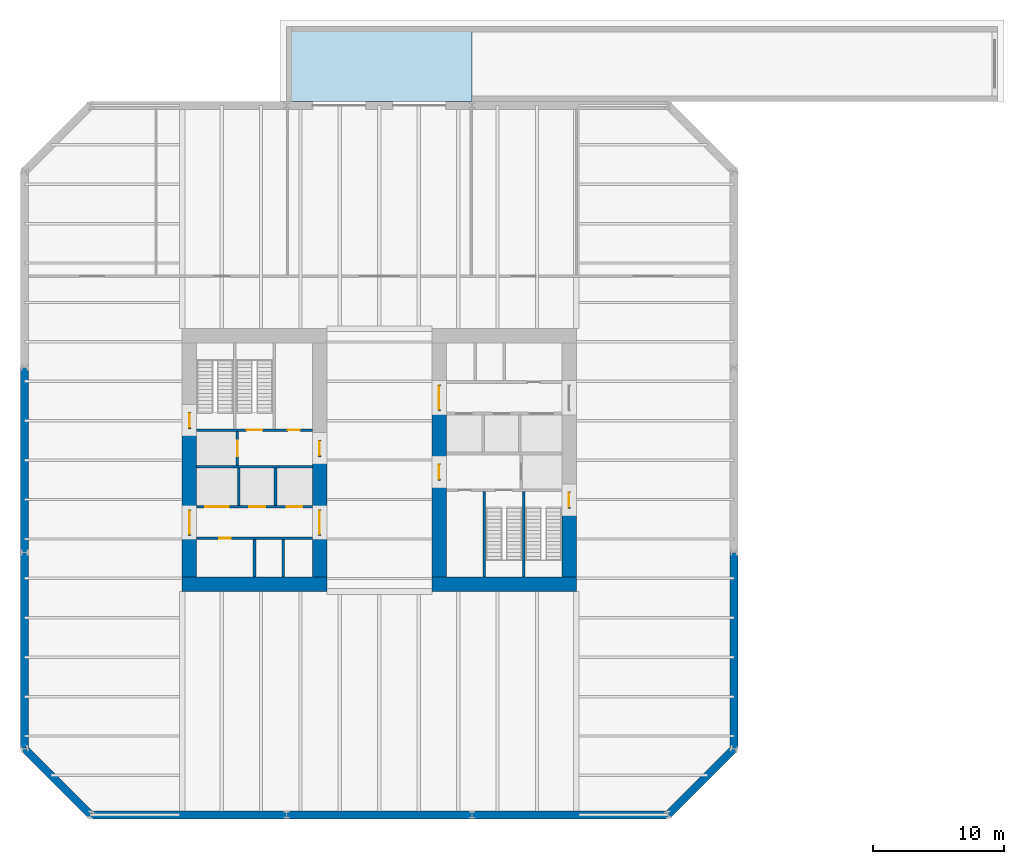
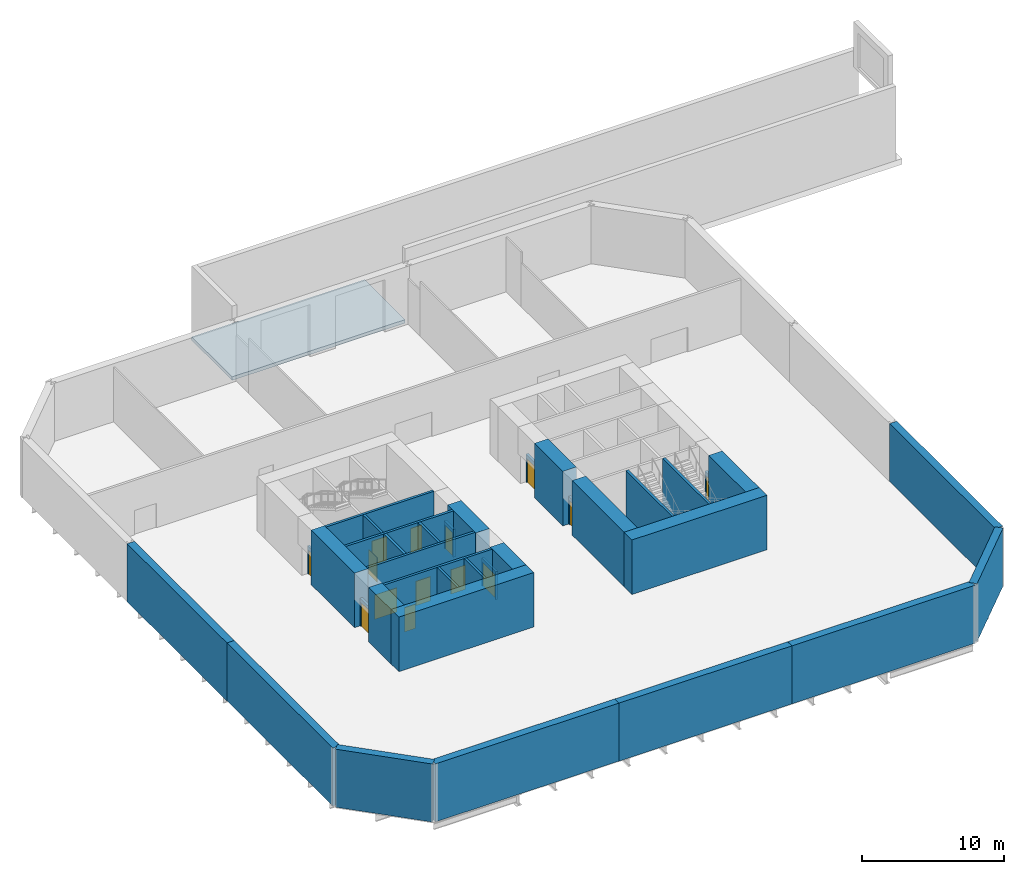
# One storey, part 2 of 6: 35 walls, 14 doors, 1 slab, 14 openings.
"""IFC4 building model written with IfcOpenShell, lengths in metres."""

from ifc_helpers import new_model, si_unit, direction, frame, frame_2d, origin, place, context, subcontext, project, spatial, polyline, rectangle, outline, extrude, material, layer, layer_set, type_object, element, fill, save


model = new_model("IFC4")

# Units and contexts
model_context = context("Model", 3, precision=1e-05, world=origin(), true_north=direction((0.0, 1.0)))
body_context = subcontext(model_context, "Body", "Model", "MODEL_VIEW")
ifc_project = project(units=[si_unit("LENGTHUNIT", "METRE"), si_unit("AREAUNIT", "SQUARE_METRE"), si_unit("VOLUMEUNIT", "CUBIC_METRE"), si_unit("PLANEANGLEUNIT", "RADIAN"), si_unit("MASSUNIT", "GRAM", prefix="KILO")], contexts=[model_context])

# Site, building, storey
site_placement = place(None, origin())
site = spatial("IfcSite", under=ifc_project, at=site_placement, CompositionType="ELEMENT")
building_placement = place(site_placement, origin())
building = spatial("IfcBuilding", under=site, at=building_placement, Name="Millrace Tower", CompositionType="ELEMENT")
storey_placement = place(building_placement, frame((0.0, 0.0, -5.0)))
storey = spatial("IfcBuildingStorey", under=building, at=storey_placement, Name="B1", CompositionType="ELEMENT", Elevation=-5.0)

# Slab
ifc_material_1 = material(Name="Concrete C40", Category="concrete")
ifc_layer_1 = layer(ifc_material_1, 0.300048828125)
ifc_layer_set_1 = layer_set([ifc_layer_1], Name="Concrete C40")
slab_type = type_object("IfcSlabType", Name="Loading court slab 300 mm", PredefinedType="FLOOR", material=ifc_layer_set_1)
slab_placement = place(storey_placement, frame((0.0, 0.0, -0.300048828125)))
element("IfcSlab", 1, at=slab_placement, inside=storey, type_object=slab_type, Name="Loading court slab", PredefinedType="FLOOR", context=body_context, shape_type="SweptSolid", body=[
    extrude(outline(polyline([(-7.050048828125, 27.300048828125), (7.050048828125, 27.300048828125), (7.050048828125, 33.0), (-7.050048828125, 33.0), (-7.050048828125, 27.300048828125)])), origin(), (0.0, 0.0, 1.0), 0.300048828125),
])

# Walls
ifc_material_2 = material(Name="Concrete C40", Category="concrete")
ifc_layer_2 = layer(ifc_material_2, 0.60009765625)
ifc_layer_set_2 = layer_set([ifc_layer_2], Name="Concrete C40")
wall_type_1 = type_object("IfcWallType", Name="Basement retaining wall 600 mm", PredefinedType="SOLIDWALL", material=ifc_layer_set_2)
wall_1_placement = place(storey_placement, frame((-27.0, -21.978515625, 0.0), z_axis=(0.0, 0.0, 1.0), x_axis=(0.707106781187, -0.707106781187, 0.0)))
element("IfcWall", 2, at=wall_1_placement, inside=storey, type_object=wall_type_1, Name="BW-A-B1-01", PredefinedType="SOLIDWALL", context=body_context, shape_type="SweptSolid", body=[
    extrude(rectangle(XDim=7.1015625, YDim=0.60009765625, at=frame_2d((3.55078125, 0.0))), origin(), (0.0, 0.0, 1.0), 5.0),
])
wall_2_placement = place(storey_placement, frame((-21.978515625, -27.0, 0.0), z_axis=(0.0, 0.0, 1.0), x_axis=(1.0, 0.0, 0.0)))
element("IfcWall", 3, at=wall_2_placement, inside=storey, type_object=wall_type_1, Name="BW-A-B1-02", PredefinedType="SOLIDWALL", context=body_context, shape_type="SweptSolid", body=[
    extrude(rectangle(XDim=14.928466796875, YDim=0.60009765625, at=frame_2d((7.46435546875, 0.0))), origin(), (0.0, 0.0, 1.0), 5.0),
])
wall_3_placement = place(storey_placement, frame((-7.050048828125, -27.0, 0.0), z_axis=(0.0, 0.0, 1.0), x_axis=(1.0, 0.0, 0.0)))
element("IfcWall", 4, at=wall_3_placement, inside=storey, type_object=wall_type_1, Name="BW-A-B1-03", PredefinedType="SOLIDWALL", context=body_context, shape_type="SweptSolid", body=[
    extrude(rectangle(XDim=14.10009765625, YDim=0.60009765625, at=frame_2d((7.050048828125, 0.0))), origin(), (0.0, 0.0, 1.0), 5.0),
])
wall_4_placement = place(storey_placement, frame((7.050048828125, -27.0, 0.0), z_axis=(0.0, 0.0, 1.0), x_axis=(1.0, 0.0, 0.0)))
element("IfcWall", 5, at=wall_4_placement, inside=storey, type_object=wall_type_1, Name="BW-A-B1-04", PredefinedType="SOLIDWALL", context=body_context, shape_type="SweptSolid", body=[
    extrude(rectangle(XDim=14.928466796875, YDim=0.60009765625, at=frame_2d((7.46435546875, 0.0))), origin(), (0.0, 0.0, 1.0), 5.0),
])
wall_5_placement = place(storey_placement, frame((21.978515625, -27.0, 0.0), z_axis=(0.0, 0.0, 1.0), x_axis=(0.707106781187, 0.707106781187, 0.0)))
element("IfcWall", 6, at=wall_5_placement, inside=storey, type_object=wall_type_1, Name="BW-A-B1-05", PredefinedType="SOLIDWALL", context=body_context, shape_type="SweptSolid", body=[
    extrude(rectangle(XDim=7.1015625, YDim=0.60009765625, at=frame_2d((3.55078125, 0.0))), origin(), (0.0, 0.0, 1.0), 5.0),
])
wall_6_placement = place(storey_placement, frame((27.0, -21.978515625, 0.0), z_axis=(0.0, 0.0, 1.0), x_axis=(0.0, 1.0, 0.0)))
element("IfcWall", 7, at=wall_6_placement, inside=storey, type_object=wall_type_1, Name="BW-A-B1-06", PredefinedType="SOLIDWALL", context=body_context, shape_type="SweptSolid", body=[
    extrude(rectangle(XDim=14.928466796875, YDim=0.60009765625, at=frame_2d((7.46435546875, 0.0))), origin(), (0.0, 0.0, 1.0), 5.0),
])
wall_7_placement = place(storey_placement, frame((-27.0, 7.050048828125, 0.0), z_axis=(0.0, 0.0, 1.0), x_axis=(0.0, -1.0, 0.0)))
element("IfcWall", 8, at=wall_7_placement, inside=storey, type_object=wall_type_1, Name="BW-A-B1-15", PredefinedType="SOLIDWALL", context=body_context, shape_type="SweptSolid", body=[
    extrude(rectangle(XDim=14.10009765625, YDim=0.60009765625, at=frame_2d((7.050048828125, 0.0))), origin(), (0.0, 0.0, 1.0), 5.0),
])
wall_8_placement = place(storey_placement, frame((-27.0, -7.050048828125, 0.0), z_axis=(0.0, 0.0, 1.0), x_axis=(0.0, -1.0, 0.0)))
element("IfcWall", 9, at=wall_8_placement, inside=storey, type_object=wall_type_1, Name="BW-A-B1-16", PredefinedType="SOLIDWALL", context=body_context, shape_type="SweptSolid", body=[
    extrude(rectangle(XDim=14.928466796875, YDim=0.60009765625, at=frame_2d((7.46435546875, 0.0))), origin(), (0.0, 0.0, 1.0), 5.0),
])
ifc_material_3 = material(Name="Concrete C80", Category="concrete")
ifc_layer_3 = layer(ifc_material_3, 1.10009765625)
ifc_layer_set_3 = layer_set([ifc_layer_3], Name="Concrete C80")
wall_type_2 = type_object("IfcWallType", Name="Core wall 1100 Concrete C80", PredefinedType="SHEAR", material=ifc_layer_set_3)
wall_9_placement = place(storey_placement, frame((-15.0, -9.449951171875, 0.0), z_axis=(0.0, 0.0, 1.0), x_axis=(1.0, 0.0, 0.0)))
element("IfcWall", 10, at=wall_9_placement, inside=storey, type_object=wall_type_2, Name="Core wall W B1", PredefinedType="SHEAR", context=body_context, shape_type="SweptSolid", body=[
    extrude(rectangle(XDim=11.0, YDim=1.10009765625, at=frame_2d((5.5, 0.0))), origin(), (0.0, 0.0, 1.0), 4.699951171875),
])
wall_10_placement = place(storey_placement, frame((-14.449951171875, -8.89990234375, 0.0), z_axis=(0.0, 0.0, 1.0), x_axis=(0.0, 1.0, 0.0)))
element("IfcWall", 11, at=wall_10_placement, inside=storey, type_object=wall_type_2, Name="Core wall W B1", PredefinedType="SHEAR", context=body_context, shape_type="SweptSolid", body=[
    extrude(rectangle(XDim=3.14990234375, YDim=1.10009765625, at=frame_2d((1.574951171875, 0.0))), origin(), (0.0, 0.0, 1.0), 4.699951171875),
])
wall_11_placement = place(storey_placement, frame((-14.449951171875, -3.75, 0.0), z_axis=(0.0, 0.0, 1.0), x_axis=(0.0, 1.0, 0.0)))
element("IfcWall", 12, at=wall_11_placement, inside=storey, type_object=wall_type_2, Name="Core wall W B1", PredefinedType="SHEAR", context=body_context, shape_type="SweptSolid", body=[
    extrude(rectangle(XDim=6.1298828125, YDim=1.10009765625, at=frame_2d((3.06494140625, 0.0))), origin(), (0.0, 0.0, 1.0), 4.699951171875),
])
wall_12_placement = place(storey_placement, frame((-4.550048828125, -8.89990234375, 0.0), z_axis=(0.0, 0.0, 1.0), x_axis=(0.0, 1.0, 0.0)))
element("IfcWall", 13, at=wall_12_placement, inside=storey, type_object=wall_type_2, Name="Core wall W B1", PredefinedType="SHEAR", context=body_context, shape_type="SweptSolid", body=[
    extrude(rectangle(XDim=3.14990234375, YDim=1.10009765625, at=frame_2d((1.574951171875, 0.0))), origin(), (0.0, 0.0, 1.0), 4.699951171875),
])
wall_13_placement = place(storey_placement, frame((-4.550048828125, -3.75, 0.0), z_axis=(0.0, 0.0, 1.0), x_axis=(0.0, 1.0, 0.0)))
element("IfcWall", 14, at=wall_13_placement, inside=storey, type_object=wall_type_2, Name="Core wall W B1", PredefinedType="SHEAR", context=body_context, shape_type="SweptSolid", body=[
    extrude(rectangle(XDim=4.0, YDim=1.10009765625, at=frame_2d((2.0, 0.0))), origin(), (0.0, 0.0, 1.0), 4.699951171875),
])
wall_14_placement = place(storey_placement, frame((15.0, -9.449951171875, 0.0), z_axis=(0.0, 0.0, 1.0), x_axis=(-1.0, 0.0, 0.0)))
element("IfcWall", 15, at=wall_14_placement, inside=storey, type_object=wall_type_2, Name="Core wall E B1", PredefinedType="SHEAR", context=body_context, shape_type="SweptSolid", body=[
    extrude(rectangle(XDim=11.0, YDim=1.10009765625, at=frame_2d((5.5, 0.0))), origin(), (0.0, 0.0, 1.0), 4.699951171875),
])
wall_15_placement = place(storey_placement, frame((14.449951171875, -3.679931640625, 0.0), z_axis=(0.0, 0.0, 1.0), x_axis=(0.0, -1.0, 0.0)))
element("IfcWall", 16, at=wall_15_placement, inside=storey, type_object=wall_type_2, Name="Core wall E B1", PredefinedType="SHEAR", context=body_context, shape_type="SweptSolid", body=[
    extrude(rectangle(XDim=5.219970703125, YDim=1.10009765625, at=frame_2d((2.60986328125, 0.0))), origin(), (0.0, 0.0, 1.0), 4.699951171875),
])
wall_16_placement = place(storey_placement, frame((4.550048828125, 3.75, 0.0), z_axis=(0.0, 0.0, 1.0), x_axis=(0.0, -1.0, 0.0)))
element("IfcWall", 17, at=wall_16_placement, inside=storey, type_object=wall_type_2, Name="Core wall E B1", PredefinedType="SHEAR", context=body_context, shape_type="SweptSolid", body=[
    extrude(rectangle(XDim=4.0, YDim=1.10009765625, at=frame_2d((2.0, 0.0))), origin(), (0.0, 0.0, 1.0), 4.699951171875),
])
wall_17_placement = place(storey_placement, frame((4.550048828125, -1.550048828125, 0.0), z_axis=(0.0, 0.0, 1.0), x_axis=(0.0, -1.0, 0.0)))
element("IfcWall", 18, at=wall_17_placement, inside=storey, type_object=wall_type_2, Name="Core wall E B1", PredefinedType="SHEAR", context=body_context, shape_type="SweptSolid", body=[
    extrude(rectangle(XDim=7.349853515625, YDim=1.10009765625, at=frame_2d((3.6748046875, 0.0))), origin(), (0.0, 0.0, 1.0), 4.699951171875),
])

# Wall, opening, door
ifc_material_4 = material(Name="Masonry partition, fire-rated", Category="masonry")
ifc_layer_4 = layer(ifc_material_4, 0.199951171875)
ifc_layer_set_4 = layer_set([ifc_layer_4], Name="Masonry partition, fire-rated")
wall_type_3 = type_object("IfcWallType", Name="Lift shaft wall 200", PredefinedType="PARTITIONING", material=ifc_layer_set_4)
wall_18_placement = place(storey_placement, frame((-13.89990234375, -5.949951171875, 0.0), z_axis=(0.0, 0.0, 1.0), x_axis=(1.0, 0.0, 0.0)))
wall_18 = element("IfcWall", 19, at=wall_18_placement, inside=storey, type_object=wall_type_3, Name="Lift shaft wall W B1", PredefinedType="PARTITIONING", context=body_context, shape_type="SweptSolid", body=[
    extrude(rectangle(XDim=8.7998046875, YDim=0.199951171875, at=frame_2d((4.39990234375, 0.0))), origin(), (0.0, 0.0, 1.0), 4.699951171875),
])
opening_1_placement = place(wall_18_placement, frame((1.699951171875, 0.0, 0.0)))
opening_1 = element("IfcOpeningElement", 20, at=opening_1_placement, cuts=wall_18, Name="Opening B1-C005", PredefinedType="OPENING", context=body_context, shape_type="SweptSolid", body=[
    extrude(rectangle(XDim=0.89990234375, YDim=2.10009765625, at=frame_2d((0.449951171875, 1.050048828125))), frame((0.0, 0.10986328125, 0.0), z_axis=(0.0, -1.0, 0.0), x_axis=(1.0, 0.0, 0.0)), (0.0, 0.0, 1.0), 0.219970703125),
])
ifc_material_5 = material(Name="Steel door, fire-rated", Category="steel")
door_type_1 = type_object("IfcDoorType", Name="Service room door 900 x 2100", OperationType="SINGLE_SWING_LEFT", PredefinedType="DOOR", material=ifc_material_5)
door_1_placement = place(opening_1_placement, frame((0.89990234375, 0.0, 0.0), z_axis=(0.0, 0.0, 1.0), x_axis=(-1.0, 0.0, 0.0)))
door_1 = element("IfcDoor", 21, at=door_1_placement, inside=storey, type_object=door_type_1, Name="Service room door B1-C005", OperationType="SINGLE_SWING_RIGHT", OverallHeight=2.10009765625, OverallWidth=0.89990234375, PredefinedType="DOOR", context=body_context, shape_type="SweptSolid", body=[
    extrude(rectangle(XDim=0.89990234375, YDim=2.10009765625, at=frame_2d((0.449951171875, 1.050048828125))), frame((0.0, 0.02490234375, 0.0), z_axis=(0.0, -1.0, 0.0), x_axis=(1.0, 0.0, 0.0)), (0.0, 0.0, 1.0), 0.050048828125),
])
fill(opening_1, door_1)

# Wall, openings, doors
wall_19_placement = place(storey_placement, frame((-13.89990234375, -3.550048828125, 0.0), z_axis=(0.0, 0.0, 1.0), x_axis=(1.0, 0.0, 0.0)))
wall_19 = element("IfcWall", 22, at=wall_19_placement, inside=storey, type_object=wall_type_3, Name="Lift shaft wall W B1", PredefinedType="PARTITIONING", context=body_context, shape_type="SweptSolid", body=[
    extrude(rectangle(XDim=8.7998046875, YDim=0.199951171875, at=frame_2d((4.39990234375, 0.0))), origin(), (0.0, 0.0, 1.0), 4.699951171875),
])
opening_2_placement = place(wall_19_placement, frame((0.64990234375, 0.0, 0.0)))
opening_2 = element("IfcOpeningElement", 23, at=opening_2_placement, cuts=wall_19, Name="Opening B1-LD05", PredefinedType="OPENING", context=body_context, shape_type="SweptSolid", body=[
    extrude(rectangle(XDim=1.800048828125, YDim=2.10009765625, at=frame_2d((0.89990234375, 1.050048828125))), frame((0.0, 0.10986328125, 0.0), z_axis=(0.0, -1.0, 0.0), x_axis=(1.0, 0.0, 0.0)), (0.0, 0.0, 1.0), 0.219970703125),
])
opening_3_placement = place(wall_19_placement, frame((4.0, 0.0, 0.0)))
opening_3 = element("IfcOpeningElement", 24, at=opening_3_placement, cuts=wall_19, Name="Opening B1-LD06", PredefinedType="OPENING", context=body_context, shape_type="SweptSolid", body=[
    extrude(rectangle(XDim=1.199951171875, YDim=2.10009765625, at=frame_2d((0.60009765625, 1.050048828125))), frame((0.0, 0.10986328125, 0.0), z_axis=(0.0, -1.0, 0.0), x_axis=(1.0, 0.0, 0.0)), (0.0, 0.0, 1.0), 0.219970703125),
])
opening_4_placement = place(wall_19_placement, frame((6.85009765625, 0.0, 0.0)))
opening_4 = element("IfcOpeningElement", 25, at=opening_4_placement, cuts=wall_19, Name="Opening B1-LD07", PredefinedType="OPENING", context=body_context, shape_type="SweptSolid", body=[
    extrude(rectangle(XDim=1.199951171875, YDim=2.10009765625, at=frame_2d((0.60009765625, 1.050048828125))), frame((0.0, 0.10986328125, 0.0), z_axis=(0.0, -1.0, 0.0), x_axis=(1.0, 0.0, 0.0)), (0.0, 0.0, 1.0), 0.219970703125),
])
ifc_material_6 = material(Name="Stainless steel, fire-rated", Category="steel")
door_type_2 = type_object("IfcDoorType", Name="Lift landing door 1200 x 2100", OperationType="DOUBLE_DOOR_SLIDING", PredefinedType="DOOR", material=ifc_material_6)
door_2_placement = place(opening_3_placement, origin())
door_2 = element("IfcDoor", 26, at=door_2_placement, inside=storey, type_object=door_type_2, Name="Lift landing door LF6 B1", OperationType="DOUBLE_DOOR_SLIDING", OverallHeight=2.10009765625, OverallWidth=1.199951171875, PredefinedType="DOOR", context=body_context, shape_type="SweptSolid", body=[
    extrude(rectangle(XDim=1.199951171875, YDim=2.10009765625, at=frame_2d((0.60009765625, 1.050048828125))), frame((0.0, 0.02490234375, 0.0), z_axis=(0.0, -1.0, 0.0), x_axis=(1.0, 0.0, 0.0)), (0.0, 0.0, 1.0), 0.050048828125),
])
fill(opening_3, door_2)
door_3_placement = place(opening_4_placement, origin())
door_3 = element("IfcDoor", 27, at=door_3_placement, inside=storey, type_object=door_type_2, Name="Lift landing door LF7 B1", OperationType="DOUBLE_DOOR_SLIDING", OverallHeight=2.10009765625, OverallWidth=1.199951171875, PredefinedType="DOOR", context=body_context, shape_type="SweptSolid", body=[
    extrude(rectangle(XDim=1.199951171875, YDim=2.10009765625, at=frame_2d((0.60009765625, 1.050048828125))), frame((0.0, 0.02490234375, 0.0), z_axis=(0.0, -1.0, 0.0), x_axis=(1.0, 0.0, 0.0)), (0.0, 0.0, 1.0), 0.050048828125),
])
fill(opening_4, door_3)
ifc_material_7 = material(Name="Stainless steel, fire-rated", Category="steel")
door_type_3 = type_object("IfcDoorType", Name="Lift landing door 1800 x 2100", OperationType="DOUBLE_DOOR_SLIDING", PredefinedType="DOOR", material=ifc_material_7)
door_4_placement = place(opening_2_placement, origin())
door_4 = element("IfcDoor", 28, at=door_4_placement, inside=storey, type_object=door_type_3, Name="Lift landing door LF5 B1", OperationType="DOUBLE_DOOR_SLIDING", OverallHeight=2.10009765625, OverallWidth=1.800048828125, PredefinedType="DOOR", context=body_context, shape_type="SweptSolid", body=[
    extrude(rectangle(XDim=1.800048828125, YDim=2.10009765625, at=frame_2d((0.89990234375, 1.050048828125))), frame((0.0, 0.02490234375, 0.0), z_axis=(0.0, -1.0, 0.0), x_axis=(1.0, 0.0, 0.0)), (0.0, 0.0, 1.0), 0.050048828125),
])
fill(opening_2, door_4)

# Wall
wall_20_placement = place(storey_placement, frame((-13.89990234375, -0.5, 0.0), z_axis=(0.0, 0.0, 1.0), x_axis=(1.0, 0.0, 0.0)))
element("IfcWall", 29, at=wall_20_placement, inside=storey, type_object=wall_type_3, Name="Lift shaft wall W B1", PredefinedType="PARTITIONING", context=body_context, shape_type="SweptSolid", body=[
    extrude(rectangle(XDim=8.7998046875, YDim=0.199951171875, at=frame_2d((4.39990234375, 0.0))), origin(), (0.0, 0.0, 1.0), 4.699951171875),
])

# Wall, opening, door
wall_21_placement = place(storey_placement, frame((-10.800048828125, -0.39990234375, 0.0), z_axis=(0.0, 0.0, 1.0), x_axis=(0.0, 1.0, 0.0)))
wall_21 = element("IfcWall", 30, at=wall_21_placement, inside=storey, type_object=wall_type_3, Name="Lift shaft wall W B1", PredefinedType="PARTITIONING", context=body_context, shape_type="SweptSolid", body=[
    extrude(rectangle(XDim=2.579833984375, YDim=0.199951171875, at=frame_2d((1.2900390625, 0.0))), origin(), (0.0, 0.0, 1.0), 4.699951171875),
])
opening_5_placement = place(wall_21_placement, frame((0.68994140625, 0.0, 0.0)))
opening_5 = element("IfcOpeningElement", 31, at=opening_5_placement, cuts=wall_21, Name="Opening B1-LD08", PredefinedType="OPENING", context=body_context, shape_type="SweptSolid", body=[
    extrude(rectangle(XDim=1.199951171875, YDim=2.10009765625, at=frame_2d((0.60009765625, 1.050048828125))), frame((0.0, 0.10986328125, 0.0), z_axis=(0.0, -1.0, 0.0), x_axis=(1.0, 0.0, 0.0)), (0.0, 0.0, 1.0), 0.219970703125),
])
door_5_placement = place(opening_5_placement, origin())
door_5 = element("IfcDoor", 32, at=door_5_placement, inside=storey, type_object=door_type_2, Name="Lift landing door LF8 B1", OperationType="DOUBLE_DOOR_SLIDING", OverallHeight=2.10009765625, OverallWidth=1.199951171875, PredefinedType="DOOR", context=body_context, shape_type="SweptSolid", body=[
    extrude(rectangle(XDim=1.199951171875, YDim=2.10009765625, at=frame_2d((0.60009765625, 1.050048828125))), frame((0.0, 0.02490234375, 0.0), z_axis=(0.0, -1.0, 0.0), x_axis=(1.0, 0.0, 0.0)), (0.0, 0.0, 1.0), 0.050048828125),
])
fill(opening_5, door_5)

# Walls
for number, where, z_axis, x_axis, name in (
    (33, (-9.5, -8.89990234375, 0.0), (0.0, 0.0, 1.0), (0.0, 1.0, 0.0), "Lift shaft wall W B1"),
    (34, (-7.300048828125, -8.89990234375, 0.0), (0.0, 0.0, 1.0), (0.0, 1.0, 0.0), "Lift shaft wall W B1"),
    (35, (-10.699951171875, -3.449951171875, 0.0), (0.0, 0.0, 1.0), (0.0, 1.0, 0.0), "Lift shaft wall W B1"),
    (36, (-7.89990234375, -3.449951171875, 0.0), (0.0, 0.0, 1.0), (0.0, 1.0, 0.0), "Lift shaft wall W B1"),
):
    element("IfcWall", number, at=place(storey_placement, frame(where, z_axis=z_axis, x_axis=x_axis)), inside=storey, type_object=wall_type_3, Name=name, PredefinedType="PARTITIONING", context=body_context, shape_type="SweptSolid", body=[
        extrude(rectangle(XDim=2.849853515625, YDim=0.199951171875, at=frame_2d((1.4248046875, 0.0))), origin(), (0.0, 0.0, 1.0), 4.699951171875),
    ])

# Wall, opening, door
ifc_material_8 = material(Name="Masonry partition, fire-rated", Category="masonry")
ifc_layer_5 = layer(ifc_material_8, 0.199951171875)
ifc_layer_set_5 = layer_set([ifc_layer_5], Name="Masonry partition, fire-rated")
wall_type_4 = type_object("IfcWallType", Name="Lobby wall 200", PredefinedType="PARTITIONING", material=ifc_layer_set_5)
wall_22_placement = place(storey_placement, frame((-14.449951171875, -5.75, 0.0), z_axis=(0.0, 0.0, 1.0), x_axis=(0.0, 1.0, 0.0)))
wall_22 = element("IfcWall", 37, at=wall_22_placement, inside=storey, type_object=wall_type_4, Name="Lobby wall W B1", PredefinedType="PARTITIONING", context=body_context, shape_type="SweptSolid", body=[
    extrude(rectangle(XDim=2.0, YDim=0.199951171875, at=frame_2d((1.0, 0.0))), origin(), (0.0, 0.0, 1.0), 2.39990234375),
])
opening_6_placement = place(wall_22_placement, frame((0.10009765625, 0.0, 0.0)))
opening_6 = element("IfcOpeningElement", 38, at=opening_6_placement, cuts=wall_22, Name="Opening B1-C001", PredefinedType="OPENING", context=body_context, shape_type="SweptSolid", body=[
    extrude(rectangle(XDim=1.800048828125, YDim=2.10009765625, at=frame_2d((0.89990234375, 1.050048828125))), frame((0.0, 0.10986328125, 0.0), z_axis=(0.0, -1.0, 0.0), x_axis=(1.0, 0.0, 0.0)), (0.0, 0.0, 1.0), 0.219970703125),
])
ifc_material_9 = material(Name="Steel door, fire-rated", Category="steel")
door_type_4 = type_object("IfcDoorType", Name="Lobby door 1800 x 2100", OperationType="DOUBLE_DOOR_SINGLE_SWING", PredefinedType="DOOR", material=ifc_material_9)
door_6_placement = place(opening_6_placement, origin())
door_6 = element("IfcDoor", 39, at=door_6_placement, inside=storey, type_object=door_type_4, Name="Lobby door B1-C001", OperationType="DOUBLE_DOOR_SINGLE_SWING", OverallHeight=2.10009765625, OverallWidth=1.800048828125, PredefinedType="DOOR", context=body_context, shape_type="SweptSolid", body=[
    extrude(rectangle(XDim=1.800048828125, YDim=2.10009765625, at=frame_2d((0.89990234375, 1.050048828125))), frame((0.0, 0.02490234375, 0.0), z_axis=(0.0, -1.0, 0.0), x_axis=(1.0, 0.0, 0.0)), (0.0, 0.0, 1.0), 0.050048828125),
])
fill(opening_6, door_6)

wall_23_placement = place(storey_placement, frame((-4.550048828125, -5.75, 0.0), z_axis=(0.0, 0.0, 1.0), x_axis=(0.0, 1.0, 0.0)))
wall_23 = element("IfcWall", 40, at=wall_23_placement, inside=storey, type_object=wall_type_4, Name="Lobby wall W B1", PredefinedType="PARTITIONING", context=body_context, shape_type="SweptSolid", body=[
    extrude(rectangle(XDim=2.0, YDim=0.199951171875, at=frame_2d((1.0, 0.0))), origin(), (0.0, 0.0, 1.0), 2.39990234375),
])
opening_7_placement = place(wall_23_placement, frame((0.10009765625, 0.0, 0.0)))
opening_7 = element("IfcOpeningElement", 41, at=opening_7_placement, cuts=wall_23, Name="Opening B1-C003", PredefinedType="OPENING", context=body_context, shape_type="SweptSolid", body=[
    extrude(rectangle(XDim=1.800048828125, YDim=2.10009765625, at=frame_2d((0.89990234375, 1.050048828125))), frame((0.0, 0.10986328125, 0.0), z_axis=(0.0, -1.0, 0.0), x_axis=(1.0, 0.0, 0.0)), (0.0, 0.0, 1.0), 0.219970703125),
])
door_7_placement = place(opening_7_placement, origin())
door_7 = element("IfcDoor", 42, at=door_7_placement, inside=storey, type_object=door_type_4, Name="Lobby door B1-C003", OperationType="DOUBLE_DOOR_SINGLE_SWING", OverallHeight=2.10009765625, OverallWidth=1.800048828125, PredefinedType="DOOR", context=body_context, shape_type="SweptSolid", body=[
    extrude(rectangle(XDim=1.800048828125, YDim=2.10009765625, at=frame_2d((0.89990234375, 1.050048828125))), frame((0.0, 0.02490234375, 0.0), z_axis=(0.0, -1.0, 0.0), x_axis=(1.0, 0.0, 0.0)), (0.0, 0.0, 1.0), 0.050048828125),
])
fill(opening_7, door_7)

wall_24_placement = place(storey_placement, frame((-4.550048828125, 0.25, 0.0), z_axis=(0.0, 0.0, 1.0), x_axis=(0.0, 1.0, 0.0)))
wall_24 = element("IfcWall", 43, at=wall_24_placement, inside=storey, type_object=wall_type_4, Name="Lobby wall W B1", PredefinedType="PARTITIONING", context=body_context, shape_type="SweptSolid", body=[
    extrude(rectangle(XDim=1.300048828125, YDim=0.199951171875, at=frame_2d((0.64990234375, 0.0))), origin(), (0.0, 0.0, 1.0), 2.39990234375),
])
opening_8_placement = place(wall_24_placement, frame((0.10009765625, 0.0, 0.0)))
opening_8 = element("IfcOpeningElement", 44, at=opening_8_placement, cuts=wall_24, Name="Opening B1-C004", PredefinedType="OPENING", context=body_context, shape_type="SweptSolid", body=[
    extrude(rectangle(XDim=1.10009765625, YDim=2.10009765625, at=frame_2d((0.550048828125, 1.050048828125))), frame((0.0, 0.10986328125, 0.0), z_axis=(0.0, -1.0, 0.0), x_axis=(1.0, 0.0, 0.0)), (0.0, 0.0, 1.0), 0.219970703125),
])
ifc_material_10 = material(Name="Steel door, fire-rated", Category="steel")
door_type_5 = type_object("IfcDoorType", Name="Lobby door 1100 x 2100", OperationType="SINGLE_SWING_LEFT", PredefinedType="DOOR", material=ifc_material_10)
door_8_placement = place(opening_8_placement, origin())
door_8 = element("IfcDoor", 45, at=door_8_placement, inside=storey, type_object=door_type_5, Name="Lobby door B1-C004", OperationType="SINGLE_SWING_RIGHT", OverallHeight=2.10009765625, OverallWidth=1.10009765625, PredefinedType="DOOR", context=body_context, shape_type="SweptSolid", body=[
    extrude(rectangle(XDim=1.10009765625, YDim=2.10009765625, at=frame_2d((0.550048828125, 1.050048828125))), frame((0.0, 0.02490234375, 0.0), z_axis=(0.0, -1.0, 0.0), x_axis=(1.0, 0.0, 0.0)), (0.0, 0.0, 1.0), 0.050048828125),
])
fill(opening_8, door_8)

wall_25_placement = place(storey_placement, frame((4.550048828125, 5.75, 0.0), z_axis=(0.0, 0.0, 1.0), x_axis=(0.0, -1.0, 0.0)))
wall_25 = element("IfcWall", 46, at=wall_25_placement, inside=storey, type_object=wall_type_4, Name="Lobby wall E B1", PredefinedType="PARTITIONING", context=body_context, shape_type="SweptSolid", body=[
    extrude(rectangle(XDim=2.0, YDim=0.199951171875, at=frame_2d((1.0, 0.0))), origin(), (0.0, 0.0, 1.0), 2.39990234375),
])
opening_9_placement = place(wall_25_placement, frame((0.10009765625, 0.0, 0.0)))
opening_9 = element("IfcOpeningElement", 47, at=opening_9_placement, cuts=wall_25, Name="Opening B1-C010", PredefinedType="OPENING", context=body_context, shape_type="SweptSolid", body=[
    extrude(rectangle(XDim=1.800048828125, YDim=2.10009765625, at=frame_2d((0.89990234375, 1.050048828125))), frame((0.0, 0.10986328125, 0.0), z_axis=(0.0, -1.0, 0.0), x_axis=(1.0, 0.0, 0.0)), (0.0, 0.0, 1.0), 0.219970703125),
])
door_9_placement = place(opening_9_placement, origin())
door_9 = element("IfcDoor", 48, at=door_9_placement, inside=storey, type_object=door_type_4, Name="Lobby door B1-C010", OperationType="DOUBLE_DOOR_SINGLE_SWING", OverallHeight=2.10009765625, OverallWidth=1.800048828125, PredefinedType="DOOR", context=body_context, shape_type="SweptSolid", body=[
    extrude(rectangle(XDim=1.800048828125, YDim=2.10009765625, at=frame_2d((0.89990234375, 1.050048828125))), frame((0.0, 0.02490234375, 0.0), z_axis=(0.0, -1.0, 0.0), x_axis=(1.0, 0.0, 0.0)), (0.0, 0.0, 1.0), 0.050048828125),
])
fill(opening_9, door_9)

wall_26_placement = place(storey_placement, frame((4.550048828125, -0.25, 0.0), z_axis=(0.0, 0.0, 1.0), x_axis=(0.0, -1.0, 0.0)))
wall_26 = element("IfcWall", 49, at=wall_26_placement, inside=storey, type_object=wall_type_4, Name="Lobby wall E B1", PredefinedType="PARTITIONING", context=body_context, shape_type="SweptSolid", body=[
    extrude(rectangle(XDim=1.300048828125, YDim=0.199951171875, at=frame_2d((0.64990234375, 0.0))), origin(), (0.0, 0.0, 1.0), 2.39990234375),
])
opening_10_placement = place(wall_26_placement, frame((0.10009765625, 0.0, 0.0)))
opening_10 = element("IfcOpeningElement", 50, at=opening_10_placement, cuts=wall_26, Name="Opening B1-C011", PredefinedType="OPENING", context=body_context, shape_type="SweptSolid", body=[
    extrude(rectangle(XDim=1.10009765625, YDim=2.10009765625, at=frame_2d((0.550048828125, 1.050048828125))), frame((0.0, 0.10986328125, 0.0), z_axis=(0.0, -1.0, 0.0), x_axis=(1.0, 0.0, 0.0)), (0.0, 0.0, 1.0), 0.219970703125),
])
door_10_placement = place(opening_10_placement, origin())
door_10 = element("IfcDoor", 51, at=door_10_placement, inside=storey, type_object=door_type_5, Name="Lobby door B1-C011", OperationType="SINGLE_SWING_LEFT", OverallHeight=2.10009765625, OverallWidth=1.10009765625, PredefinedType="DOOR", context=body_context, shape_type="SweptSolid", body=[
    extrude(rectangle(XDim=1.10009765625, YDim=2.10009765625, at=frame_2d((0.550048828125, 1.050048828125))), frame((0.0, 0.02490234375, 0.0), z_axis=(0.0, -1.0, 0.0), x_axis=(1.0, 0.0, 0.0)), (0.0, 0.0, 1.0), 0.050048828125),
])
fill(opening_10, door_10)

ifc_material_11 = material(Name="Concrete C40", Category="concrete")
ifc_layer_6 = layer(ifc_material_11, 0.199951171875)
ifc_layer_set_6 = layer_set([ifc_layer_6], Name="Concrete C40")
wall_type_5 = type_object("IfcWallType", Name="Stair enclosure wall 200 Concrete C40", PredefinedType="SHEAR", material=ifc_layer_set_6)
wall_27_placement = place(storey_placement, frame((-14.449951171875, 2.3798828125, 0.0), z_axis=(0.0, 0.0, 1.0), x_axis=(0.0, 1.0, 0.0)))
wall_27 = element("IfcWall", 52, at=wall_27_placement, inside=storey, type_object=wall_type_5, Name="Stair enclosure wall W B1", PredefinedType="SHEAR", context=body_context, shape_type="SweptSolid", body=[
    extrude(rectangle(XDim=1.300048828125, YDim=0.199951171875, at=frame_2d((0.64990234375, 0.0))), origin(), (0.0, 0.0, 1.0), 2.39990234375),
])
opening_11_placement = place(wall_27_placement, frame((0.10009765625, 0.0, 0.0)))
opening_11 = element("IfcOpeningElement", 53, at=opening_11_placement, cuts=wall_27, Name="Opening B1-C002", PredefinedType="OPENING", context=body_context, shape_type="SweptSolid", body=[
    extrude(rectangle(XDim=1.10009765625, YDim=2.10009765625, at=frame_2d((0.550048828125, 1.050048828125))), frame((0.0, 0.10986328125, 0.0), z_axis=(0.0, -1.0, 0.0), x_axis=(1.0, 0.0, 0.0)), (0.0, 0.0, 1.0), 0.219970703125),
])
ifc_material_12 = material(Name="Steel door, fire-rated", Category="steel")
door_type_6 = type_object("IfcDoorType", Name="Stair door 1100 x 2100", OperationType="SINGLE_SWING_LEFT", PredefinedType="DOOR", material=ifc_material_12)
door_11_placement = place(opening_11_placement, origin())
door_11 = element("IfcDoor", 54, at=door_11_placement, inside=storey, type_object=door_type_6, Name="Stair door B1-C002", OperationType="SINGLE_SWING_RIGHT", OverallHeight=2.10009765625, OverallWidth=1.10009765625, PredefinedType="DOOR", context=body_context, shape_type="SweptSolid", body=[
    extrude(rectangle(XDim=1.10009765625, YDim=2.10009765625, at=frame_2d((0.550048828125, 1.050048828125))), frame((0.0, 0.02490234375, 0.0), z_axis=(0.0, -1.0, 0.0), x_axis=(1.0, 0.0, 0.0)), (0.0, 0.0, 1.0), 0.050048828125),
])
fill(opening_11, door_11)

# Wall, openings, doors
wall_28_placement = place(storey_placement, frame((-13.89990234375, 2.280029296875, 0.0), z_axis=(0.0, 0.0, 1.0), x_axis=(1.0, 0.0, 0.0)))
wall_28 = element("IfcWall", 55, at=wall_28_placement, inside=storey, type_object=wall_type_5, Name="Stair enclosure wall W B1", PredefinedType="SHEAR", context=body_context, shape_type="SweptSolid", body=[
    extrude(rectangle(XDim=8.7998046875, YDim=0.199951171875, at=frame_2d((4.39990234375, 0.0))), origin(), (0.0, 0.0, 1.0), 4.699951171875),
])
opening_12_placement = place(wall_28_placement, frame((3.800048828125, 0.0, 0.0)))
opening_12 = element("IfcOpeningElement", 56, at=opening_12_placement, cuts=wall_28, Name="Opening B1-C006", PredefinedType="OPENING", context=body_context, shape_type="SweptSolid", body=[
    extrude(rectangle(XDim=1.199951171875, YDim=2.10009765625, at=frame_2d((0.60009765625, 1.050048828125))), frame((0.0, 0.10986328125, 0.0), z_axis=(0.0, -1.0, 0.0), x_axis=(1.0, 0.0, 0.0)), (0.0, 0.0, 1.0), 0.219970703125),
])
opening_13_placement = place(wall_28_placement, frame((6.949951171875, 0.0, 0.0)))
opening_13 = element("IfcOpeningElement", 57, at=opening_13_placement, cuts=wall_28, Name="Opening B1-C007", PredefinedType="OPENING", context=body_context, shape_type="SweptSolid", body=[
    extrude(rectangle(XDim=0.89990234375, YDim=2.10009765625, at=frame_2d((0.449951171875, 1.050048828125))), frame((0.0, 0.10986328125, 0.0), z_axis=(0.0, -1.0, 0.0), x_axis=(1.0, 0.0, 0.0)), (0.0, 0.0, 1.0), 0.219970703125),
])
door_12_placement = place(opening_13_placement, origin())
door_12 = element("IfcDoor", 58, at=door_12_placement, inside=storey, type_object=door_type_1, Name="Service room door B1-C007", OperationType="SINGLE_SWING_RIGHT", OverallHeight=2.10009765625, OverallWidth=0.89990234375, PredefinedType="DOOR", context=body_context, shape_type="SweptSolid", body=[
    extrude(rectangle(XDim=0.89990234375, YDim=2.10009765625, at=frame_2d((0.449951171875, 1.050048828125))), frame((0.0, 0.02490234375, 0.0), z_axis=(0.0, -1.0, 0.0), x_axis=(1.0, 0.0, 0.0)), (0.0, 0.0, 1.0), 0.050048828125),
])
fill(opening_13, door_12)
ifc_material_13 = material(Name="Steel door, fire-rated", Category="steel")
door_type_7 = type_object("IfcDoorType", Name="Stair door 1200 x 2100", OperationType="SINGLE_SWING_LEFT", PredefinedType="DOOR", material=ifc_material_13)
door_13_placement = place(opening_12_placement, frame((1.199951171875, 0.0, 0.0), z_axis=(0.0, 0.0, 1.0), x_axis=(-1.0, 0.0, 0.0)))
door_13 = element("IfcDoor", 59, at=door_13_placement, inside=storey, type_object=door_type_7, Name="Stair door B1-C006", OperationType="SINGLE_SWING_LEFT", OverallHeight=2.10009765625, OverallWidth=1.199951171875, PredefinedType="DOOR", context=body_context, shape_type="SweptSolid", body=[
    extrude(rectangle(XDim=1.199951171875, YDim=2.10009765625, at=frame_2d((0.60009765625, 1.050048828125))), frame((0.0, 0.02490234375, 0.0), z_axis=(0.0, -1.0, 0.0), x_axis=(1.0, 0.0, 0.0)), (0.0, 0.0, 1.0), 0.050048828125),
])
fill(opening_12, door_13)

# Wall, opening, door
wall_29_placement = place(storey_placement, frame((14.449951171875, -2.3798828125, 0.0), z_axis=(0.0, 0.0, 1.0), x_axis=(0.0, -1.0, 0.0)))
wall_29 = element("IfcWall", 60, at=wall_29_placement, inside=storey, type_object=wall_type_5, Name="Stair enclosure wall E B1", PredefinedType="SHEAR", context=body_context, shape_type="SweptSolid", body=[
    extrude(rectangle(XDim=1.300048828125, YDim=0.199951171875, at=frame_2d((0.64990234375, 0.0))), origin(), (0.0, 0.0, 1.0), 2.39990234375),
])
opening_14_placement = place(wall_29_placement, frame((0.10009765625, 0.0, 0.0)))
opening_14 = element("IfcOpeningElement", 61, at=opening_14_placement, cuts=wall_29, Name="Opening B1-C009", PredefinedType="OPENING", context=body_context, shape_type="SweptSolid", body=[
    extrude(rectangle(XDim=1.10009765625, YDim=2.10009765625, at=frame_2d((0.550048828125, 1.050048828125))), frame((0.0, 0.10986328125, 0.0), z_axis=(0.0, -1.0, 0.0), x_axis=(1.0, 0.0, 0.0)), (0.0, 0.0, 1.0), 0.219970703125),
])
door_14_placement = place(opening_14_placement, origin())
door_14 = element("IfcDoor", 62, at=door_14_placement, inside=storey, type_object=door_type_6, Name="Stair door B1-C009", OperationType="SINGLE_SWING_LEFT", OverallHeight=2.10009765625, OverallWidth=1.10009765625, PredefinedType="DOOR", context=body_context, shape_type="SweptSolid", body=[
    extrude(rectangle(XDim=1.10009765625, YDim=2.10009765625, at=frame_2d((0.550048828125, 1.050048828125))), frame((0.0, 0.02490234375, 0.0), z_axis=(0.0, -1.0, 0.0), x_axis=(1.0, 0.0, 0.0)), (0.0, 0.0, 1.0), 0.050048828125),
])
fill(opening_14, door_14)

# Walls
for number, where, z_axis, x_axis, name in (
    (63, (11.0, -2.3798828125, 0.0), (0.0, 0.0, 1.0), (0.0, -1.0, 0.0), "Stair enclosure wall E B1"),
    (64, (8.0, -2.3798828125, 0.0), (0.0, 0.0, 1.0), (0.0, -1.0, 0.0), "Stair enclosure wall E B1"),
):
    element("IfcWall", number, at=place(storey_placement, frame(where, z_axis=z_axis, x_axis=x_axis)), inside=storey, type_object=wall_type_5, Name=name, PredefinedType="SHEAR", context=body_context, shape_type="SweptSolid", body=[
        extrude(rectangle(XDim=6.52001953125, YDim=0.199951171875, at=frame_2d((3.260009765625, 0.0))), origin(), (0.0, 0.0, 1.0), 4.699951171875),
    ])

save(model, "model.ifc")
